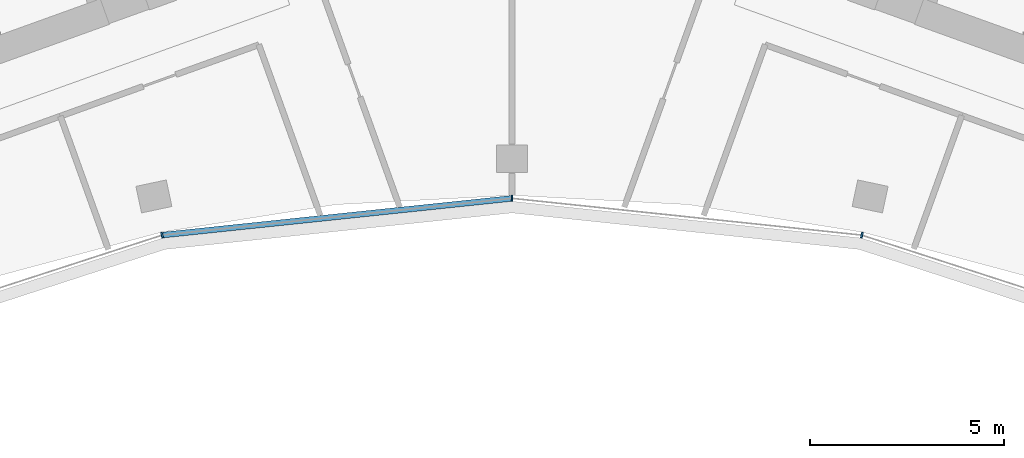
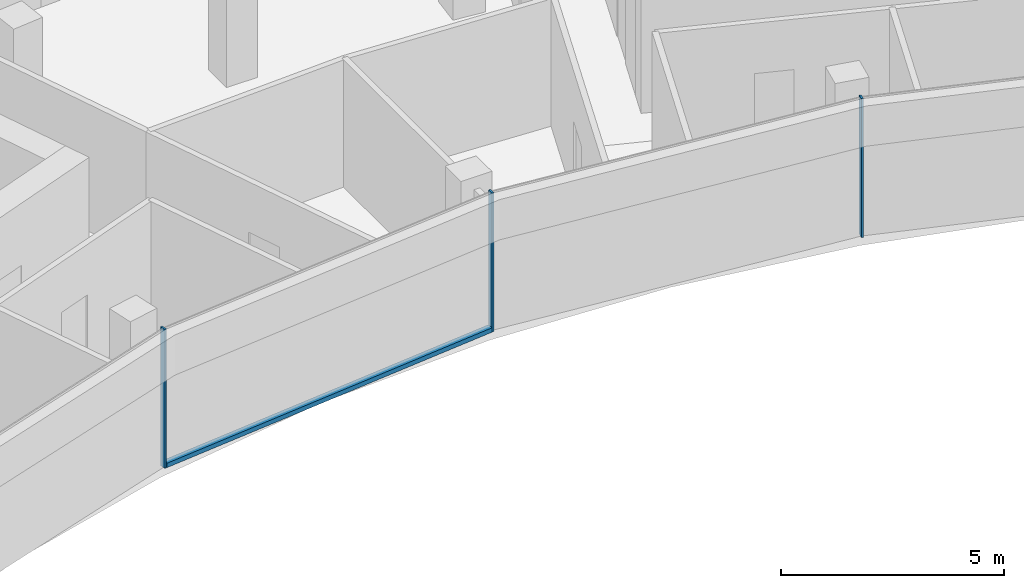
# One storey, part 5 of 18: 4 members, 1 element without a shape of its own.
"""IFC4 building model written with IfcOpenShell, lengths in metres."""

from ifc_helpers import new_model, si_unit, direction, frame, origin, origin_2d, place, context, subcontext, project, spatial, rectangle, extrude, material, layer, layer_set, material_profile, profile_set, type_object, element, aggregate, save


model = new_model("IFC4")

# Units and contexts
model_context = context("Model", 3, precision=1e-05, world=origin(), true_north=direction((0.0, 1.0)))
body_context = subcontext(model_context, "Body", "Model", "MODEL_VIEW")
ifc_project = project(units=[si_unit("LENGTHUNIT", "METRE"), si_unit("AREAUNIT", "SQUARE_METRE"), si_unit("VOLUMEUNIT", "CUBIC_METRE"), si_unit("PLANEANGLEUNIT", "RADIAN"), si_unit("MASSUNIT", "GRAM", prefix="KILO")], contexts=[model_context])

# Site, building, storey
site_placement = place(None, origin())
site = spatial("IfcSite", under=ifc_project, at=site_placement, CompositionType="ELEMENT")
building_placement = place(site_placement, origin())
building = spatial("IfcBuilding", under=site, at=building_placement, Name="Stone Belt Terrace Tower", CompositionType="ELEMENT")
storey_placement = place(building_placement, frame((0.0, 0.0, 269.39990234375)))
storey = spatial("IfcBuildingStorey", under=building, at=storey_placement, Name="L65", CompositionType="ELEMENT", Elevation=269.39990234375)

# Curtain wall, members
ifc_material = material(Name="Aluminium 6063-T6 anodised frame", Category="aluminium")
ifc_layer = layer(ifc_material, 0.14990234375)
ifc_layer_set = layer_set([ifc_layer], Name="CW-B unitised concave-face curtain wall")
curtain_wall_type = type_object("IfcCurtainWallType", Name="CW-B unitised concave-face curtain wall", PredefinedType="NOTDEFINED", material=ifc_layer_set)
curtain_wall_placement = place(storey_placement, origin())
curtain_wall = element("IfcCurtainWall", 1, at=curtain_wall_placement, inside=storey, type_object=curtain_wall_type, Name="CW-B concave face L65", PredefinedType="NOTDEFINED")
ifc_material_profile_1 = material_profile(ifc_material, rectangle(XDim=0.14990234375, YDim=0.050048828125, at=origin_2d()), Name="Aluminium 6063-T6 50x150")
ifc_profile_set_1 = profile_set([ifc_material_profile_1], Name="Aluminium 6063-T6 anodised frame")
member_type_1 = type_object("IfcMemberType", Name="CW-B mullion 50 x 150", PredefinedType="MULLION", material=ifc_profile_set_1)
member_1_placement = place(storey_placement, frame((-9.028564453125, 42.4755859375, 0.0), z_axis=(0.0, 0.0, 1.0), x_axis=(-0.207911690818, 0.978147600734, 0.0)))
member_1 = element("IfcMember", 2, at=member_1_placement, type_object=member_type_1, Name="CW-B mullion 4", PredefinedType="MULLION", context=body_context, shape_type="SweptSolid", body=[
    extrude(rectangle(XDim=0.14990234375, YDim=0.050048828125, at=origin_2d()), origin(), (0.0, 0.0, 1.0), 3.800048828125),
])
member_2_placement = place(storey_placement, frame((0.0, 43.424560546875, 0.0), z_axis=(0.0, 0.0, 1.0), x_axis=(0.0, 1.0, 0.0)))
member_2 = element("IfcMember", 3, at=member_2_placement, type_object=member_type_1, Name="CW-B mullion 5", PredefinedType="MULLION", context=body_context, shape_type="SweptSolid", body=[
    extrude(rectangle(XDim=0.14990234375, YDim=0.050048828125, at=origin_2d()), origin(), (0.0, 0.0, 1.0), 3.800048828125),
])
member_3_placement = place(storey_placement, frame((9.028564453125, 42.4755859375, 0.0), z_axis=(0.0, 0.0, 1.0), x_axis=(0.207911690818, 0.978147600734, 0.0)))
member_3 = element("IfcMember", 4, at=member_3_placement, type_object=member_type_1, Name="CW-B mullion 6", PredefinedType="MULLION", context=body_context, shape_type="SweptSolid", body=[
    extrude(rectangle(XDim=0.14990234375, YDim=0.050048828125, at=origin_2d()), origin(), (0.0, 0.0, 1.0), 3.800048828125),
])
ifc_material_profile_2 = material_profile(ifc_material, rectangle(XDim=0.14990234375, YDim=0.1201171875, at=origin_2d()), Name="Aluminium 6063-T6 150x120")
ifc_profile_set_2 = profile_set([ifc_material_profile_2], Name="Aluminium 6063-T6 anodised frame")
member_type_2 = type_object("IfcMemberType", Name="CW-B transom 120 x 150", PredefinedType="USERDEFINED", material=ifc_profile_set_2)
member_4_placement = place(storey_placement, frame((-8.995849609375, 42.47900390625, 0.06005859375), z_axis=(0.994521323407, 0.104533904969, 0.0), x_axis=(-0.104533904969, 0.994521323407, 0.0)))
member_4 = element("IfcMember", 5, at=member_4_placement, type_object=member_type_2, Name="CW-B transom 4.1", ObjectType="TRANSOM", PredefinedType="USERDEFINED", context=body_context, shape_type="SweptSolid", body=[
    extrude(rectangle(XDim=0.14990234375, YDim=0.1201171875, at=origin_2d()), origin(), (0.0, 0.0, 1.0), 9.0126953125),
])
aggregate(curtain_wall, [member_1, member_2, member_3, member_4])

save(model, "model.ifc")
